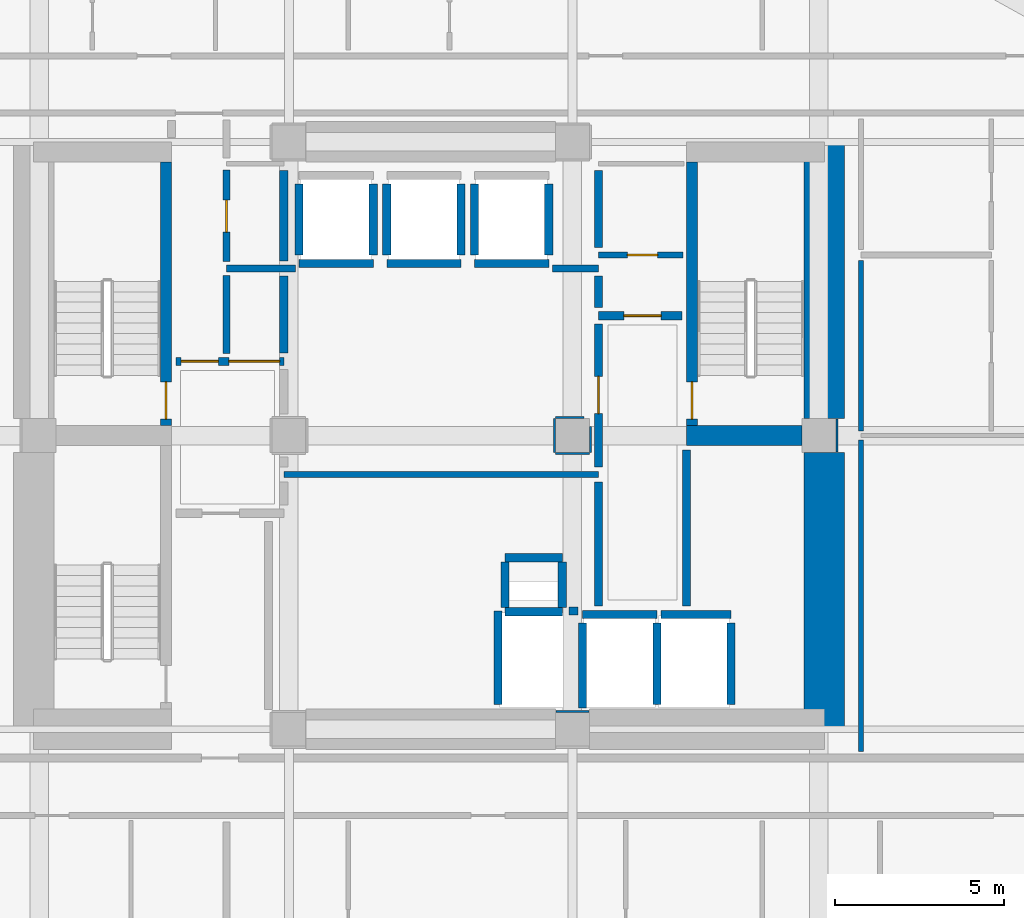
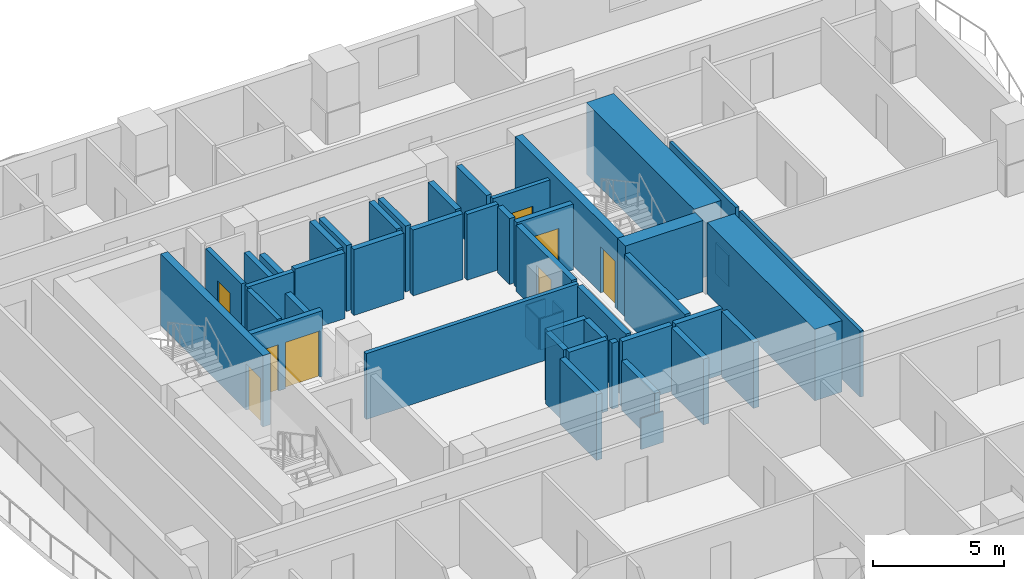
# One storey, part 4 of 10: 48 walls, 8 doors, 8 openings.
"""IFC4 building model written with IfcOpenShell, lengths in metres."""

from ifc_helpers import new_model, si_unit, direction, frame, frame_2d, origin, place, context, subcontext, project, spatial, rectangle, extrude, material, layer, layer_set, type_object, element, fill, save


model = new_model("IFC4")

# Units and contexts
model_context = context("Model", 3, precision=1e-05, world=origin(), true_north=direction((0.0, 1.0)))
body_context = subcontext(model_context, "Body", "Model", "MODEL_VIEW")
ifc_project = project(units=[si_unit("LENGTHUNIT", "METRE"), si_unit("AREAUNIT", "SQUARE_METRE"), si_unit("VOLUMEUNIT", "CUBIC_METRE"), si_unit("PLANEANGLEUNIT", "RADIAN"), si_unit("MASSUNIT", "GRAM", prefix="KILO")], contexts=[model_context])

# Site, building, storey
site_placement = place(None, origin())
site = spatial("IfcSite", under=ifc_project, at=site_placement, CompositionType="ELEMENT")
building_placement = place(site_placement, origin())
building = spatial("IfcBuilding", under=site, at=building_placement, Name="Solanera Arch Residences", CompositionType="ELEMENT")
storey_placement = place(building_placement, frame((0.0, 0.0, 48.56005859375)))
storey = spatial("IfcBuildingStorey", under=building, at=storey_placement, Name="L13", CompositionType="ELEMENT", Elevation=48.56005859375)

# Walls
ifc_material_1 = material(Name="Fire-Rated Gypsum Stud Partition", Category="gypsum")
ifc_layer_1 = layer(ifc_material_1, 0.06005859375)
ifc_layer_set_1 = layer_set([ifc_layer_1], Name="Fire-Rated Gypsum Stud Partition")
wall_type_1 = type_object("IfcWallType", Name="Column Acoustic Furring Wall 60", PredefinedType="PARTITIONING", material=ifc_layer_set_1)
for number, where, z_axis, x_axis, name in (
    (1, (28.7099609375, 22.531982421875, 0.0), (0.0, 0.0, 1.0), (1.0, 0.0, 0.0), "L13 Column Furring 2N"),
    (2, (37.031982421875, 30.2099609375, 0.0), (0.0, 0.0, 1.0), (0.0, 1.0, 0.0), "L13 Column Furring 6E"),
):
    element("IfcWall", number, at=place(storey_placement, frame(where, z_axis=z_axis, x_axis=x_axis)), inside=storey, type_object=wall_type_1, Name=name, PredefinedType="PARTITIONING", context=body_context, shape_type="SweptSolid", body=[
        extrude(rectangle(XDim=0.97998046875, YDim=0.06005859375, at=frame_2d((0.489990234375, 0.0))), origin(), (0.0, 0.0, 1.0), 1.449951171875),
    ])
wall_1_placement = place(storey_placement, frame((28.699951171875, 30.16796875, 0.0), z_axis=(0.0, 0.0, 1.0), x_axis=(1.0, 0.0, 0.0)))
element("IfcWall", 3, at=wall_1_placement, inside=storey, type_object=wall_type_1, Name="L13 Column Furring 8S", PredefinedType="PARTITIONING", context=body_context, shape_type="SweptSolid", body=[
    extrude(rectangle(XDim=1.0, YDim=0.06005859375, at=frame_2d((0.5, 0.0))), origin(), (0.0, 0.0, 1.0), 1.449951171875),
])
wall_2_placement = place(storey_placement, frame((28.699951171875, 31.23193359375, 0.0), z_axis=(0.0, 0.0, 1.0), x_axis=(1.0, 0.0, 0.0)))
element("IfcWall", 4, at=wall_2_placement, inside=storey, type_object=wall_type_1, Name="L13 Column Furring 8N", PredefinedType="PARTITIONING", context=body_context, shape_type="SweptSolid", body=[
    extrude(rectangle(XDim=0.841064453125, YDim=0.06005859375, at=frame_2d((0.42041015625, 0.0))), origin(), (0.0, 0.0, 1.0), 1.449951171875),
])
wall_3_placement = place(storey_placement, frame((28.66796875, 30.199951171875, 0.0), z_axis=(0.0, 0.0, 1.0), x_axis=(0.0, 1.0, 0.0)))
element("IfcWall", 5, at=wall_3_placement, inside=storey, type_object=wall_type_1, Name="L13 Column Furring 8W", PredefinedType="PARTITIONING", context=body_context, shape_type="SweptSolid", body=[
    extrude(rectangle(XDim=1.0, YDim=0.06005859375, at=frame_2d((0.5, 0.0))), origin(), (0.0, 0.0, 1.0), 1.449951171875),
])
wall_4_placement = place(storey_placement, frame((29.73193359375, 30.199951171875, 0.0), z_axis=(0.0, 0.0, 1.0), x_axis=(0.0, 1.0, 0.0)))
element("IfcWall", 6, at=wall_4_placement, inside=storey, type_object=wall_type_1, Name="L13 Column Furring 8E", PredefinedType="PARTITIONING", context=body_context, shape_type="SweptSolid", body=[
    extrude(rectangle(XDim=0.77197265625, YDim=0.06005859375, at=frame_2d((0.385986328125, 0.0))), origin(), (0.0, 0.0, 1.0), 1.449951171875),
])
ifc_material_2 = material(Name="Concrete C55/67 (f'c = 60 MPa)", Category="concrete")
ifc_layer_2 = layer(ifc_material_2, 1.199951171875)
ifc_layer_set_2 = layer_set([ifc_layer_2], Name="Concrete C55/67 (f'c = 60 MPa)")
wall_type_2 = type_object("IfcWallType", Name="Core Shear Wall CW-1200", PredefinedType="SHEAR", material=ifc_layer_set_2)
wall_5_placement = place(storey_placement, frame((36.659912109375, 22.0, 0.0), z_axis=(0.0, 0.0, 1.0), x_axis=(0.0, 1.0, 0.0)))
element("IfcWall", 7, at=wall_5_placement, inside=storey, type_object=wall_type_2, Name="L13 East Core South Shear Wall", PredefinedType="SHEAR", context=body_context, shape_type="SweptSolid", body=[
    extrude(rectangle(XDim=8.195068359375, YDim=1.199951171875, at=frame_2d((4.09765625, 0.0))), origin(), (0.0, 0.0, 1.0), 3.31982421875),
])
wall_6_placement = place(storey_placement, frame((36.659912109375, 31.205078125, 0.0), z_axis=(0.0, 0.0, 1.0), x_axis=(0.0, 1.0, 0.0)))
element("IfcWall", 8, at=wall_6_placement, inside=storey, type_object=wall_type_2, Name="L13 East Core North Shear Wall", PredefinedType="SHEAR", context=body_context, shape_type="SweptSolid", body=[
    extrude(rectangle(XDim=8.19482421875, YDim=1.199951171875, at=frame_2d((4.097412109375, 0.0))), origin(), (0.0, 0.0, 1.0), 3.31982421875),
])

# Wall, opening, door
ifc_material_3 = material(Name="Concrete C40/50 (f'c = 45 MPa)", Category="concrete")
ifc_layer_3 = layer(ifc_material_3, 0.320068359375)
ifc_layer_set_3 = layer_set([ifc_layer_3], Name="Concrete C40/50 (f'c = 45 MPa)")
wall_type_3 = type_object("IfcWallType", Name="Core Shear Wall CW-320", PredefinedType="SHEAR", material=ifc_layer_set_3)
wall_7_placement = place(storey_placement, frame((17.159912109375, 31.0, 0.0), z_axis=(0.0, 0.0, 1.0), x_axis=(0.0, 1.0, 0.0)))
wall_7 = element("IfcWall", 9, at=wall_7_placement, inside=storey, type_object=wall_type_3, Name="L13 Stair ST-T1 East Shear Wall", PredefinedType="SHEAR", context=body_context, shape_type="SweptSolid", body=[
    extrude(rectangle(XDim=7.800048828125, YDim=0.320068359375, at=frame_2d((3.89990234375, 0.0))), origin(), (0.0, 0.0, 1.0), 3.31982421875),
])
opening_1_placement = place(wall_7_placement, frame((0.18994140625, 0.0, 0.0)))
opening_1 = element("IfcOpeningElement", 10, at=opening_1_placement, cuts=wall_7, Name="Opening DF-01", PredefinedType="OPENING", context=body_context, shape_type="SweptSolid", body=[
    extrude(rectangle(XDim=1.10009765625, YDim=2.14990234375, at=frame_2d((0.550048828125, 1.074951171875))), frame((0.0, 0.169921875, 0.0), z_axis=(0.0, -1.0, 0.0), x_axis=(1.0, 0.0, 0.0)), (0.0, 0.0, 1.0), 0.3401),
])
ifc_material_4 = material(Name="Fire-Rated Architectural Hardwood", Category="wood")
door_type_1 = type_object("IfcDoorType", Name="Stair Exit Fire Door DF-01", OperationType="NOTDEFINED", PredefinedType="DOOR", material=ifc_material_4)
door_1_placement = place(opening_1_placement, origin())
door_1 = element("IfcDoor", 11, at=door_1_placement, inside=storey, type_object=door_type_1, Name="DR-L13-STAIR-ST-T1", OperationType="SINGLE_SWING_LEFT", OverallHeight=2.14990234375, OverallWidth=1.10009765625, PredefinedType="DOOR", context=body_context, shape_type="SweptSolid", body=[
    extrude(rectangle(XDim=1.10009765625, YDim=2.14990234375, at=frame_2d((0.550048828125, 1.074951171875))), frame((0.0, 0.02490234375, 0.0), z_axis=(0.0, -1.0, 0.0), x_axis=(1.0, 0.0, 0.0)), (0.0, 0.0, 1.0), 0.050048828125),
])
fill(opening_1, door_1)

wall_8_placement = place(storey_placement, frame((32.739990234375, 31.0, 0.0), z_axis=(0.0, 0.0, 1.0), x_axis=(0.0, 1.0, 0.0)))
wall_8 = element("IfcWall", 12, at=wall_8_placement, inside=storey, type_object=wall_type_3, Name="L13 Stair ST-T2 West Shear Wall", PredefinedType="SHEAR", context=body_context, shape_type="SweptSolid", body=[
    extrude(rectangle(XDim=7.800048828125, YDim=0.320068359375, at=frame_2d((3.89990234375, 0.0))), origin(), (0.0, 0.0, 1.0), 3.31982421875),
])
opening_2_placement = place(wall_8_placement, frame((0.18994140625, 0.0, 0.0)))
opening_2 = element("IfcOpeningElement", 13, at=opening_2_placement, cuts=wall_8, Name="Opening DF-01", PredefinedType="OPENING", context=body_context, shape_type="SweptSolid", body=[
    extrude(rectangle(XDim=1.10009765625, YDim=2.14990234375, at=frame_2d((0.550048828125, 1.074951171875))), frame((0.0, 0.169921875, 0.0), z_axis=(0.0, -1.0, 0.0), x_axis=(1.0, 0.0, 0.0)), (0.0, 0.0, 1.0), 0.3401),
])
door_2_placement = place(opening_2_placement, origin())
door_2 = element("IfcDoor", 14, at=door_2_placement, inside=storey, type_object=door_type_1, Name="DR-L13-STAIR-ST-T2", OperationType="SINGLE_SWING_RIGHT", OverallHeight=2.14990234375, OverallWidth=1.10009765625, PredefinedType="DOOR", context=body_context, shape_type="SweptSolid", body=[
    extrude(rectangle(XDim=1.10009765625, YDim=2.14990234375, at=frame_2d((0.550048828125, 1.074951171875))), frame((0.0, 0.02490234375, 0.0), z_axis=(0.0, -1.0, 0.0), x_axis=(1.0, 0.0, 0.0)), (0.0, 0.0, 1.0), 0.050048828125),
])
fill(opening_2, door_2)

# Walls
ifc_material_5 = material(Name="Concrete C40/50 (f'c = 45 MPa)", Category="concrete")
ifc_layer_4 = layer(ifc_material_5, 0.60009765625)
ifc_layer_set_4 = layer_set([ifc_layer_4], Name="Concrete C40/50 (f'c = 45 MPa)")
wall_type_4 = type_object("IfcWallType", Name="Core Shear Wall CW-600", PredefinedType="SHEAR", material=ifc_layer_set_4)
wall_9_placement = place(storey_placement, frame((32.580078125, 30.699951171875, 0.0), z_axis=(0.0, 0.0, 1.0), x_axis=(1.0, 0.0, 0.0)))
element("IfcWall", 15, at=wall_9_placement, inside=storey, type_object=wall_type_4, Name="L13 East Stair Far-Landing Shear Wall", PredefinedType="SHEAR", context=body_context, shape_type="SweptSolid", body=[
    extrude(rectangle(XDim=3.4150390625, YDim=0.60009765625, at=frame_2d((1.70751953125, 0.0))), origin(), (0.0, 0.0, 1.0), 3.31982421875),
])
ifc_material_6 = material(Name="Autoclaved Aerated Concrete Blockwork", Category="masonry")
ifc_layer_5 = layer(ifc_material_6, 0.179931640625)
ifc_layer_set_5 = layer_set([ifc_layer_5], Name="Autoclaved Aerated Concrete Blockwork")
wall_type_5 = type_object("IfcWallType", Name="Corridor Fire Partition 180", PredefinedType="PARTITIONING", material=ifc_layer_set_5)
wall_10_placement = place(storey_placement, frame((20.64990234375, 29.550048828125, 0.0), z_axis=(0.0, 0.0, 1.0), x_axis=(1.0, 0.0, 0.0)))
element("IfcWall", 16, at=wall_10_placement, inside=storey, type_object=wall_type_5, Name="L13 Interior Partition H8", PredefinedType="PARTITIONING", context=body_context, shape_type="SweptSolid", body=[
    extrude(rectangle(XDim=9.3251953125, YDim=0.179931640625, at=frame_2d((4.66259765625, 0.0))), origin(), (0.0, 0.0, 1.0), 3.06005859375),
])

# Wall, opening, door
wall_11_placement = place(storey_placement, frame((29.97509765625, 36.050048828125, 0.0), z_axis=(0.0, 0.0, 1.0), x_axis=(1.0, 0.0, 0.0)))
wall_11 = element("IfcWall", 17, at=wall_11_placement, inside=storey, type_object=wall_type_5, Name="L13 Interior Partition H9", PredefinedType="PARTITIONING", context=body_context, shape_type="SweptSolid", body=[
    extrude(rectangle(XDim=2.5048828125, YDim=0.179931640625, at=frame_2d((1.25244140625, 0.0))), origin(), (0.0, 0.0, 1.0), 3.06005859375),
])
opening_3_placement = place(wall_11_placement, frame((0.85205078125, 0.0, 0.0)))
opening_3 = element("IfcOpeningElement", 18, at=opening_3_placement, cuts=wall_11, Name="Opening DI-02", PredefinedType="OPENING", context=body_context, shape_type="SweptSolid", body=[
    extrude(rectangle(XDim=0.89990234375, YDim=2.10009765625, at=frame_2d((0.449951171875, 1.050048828125))), frame((0.0, 0.10009765625, 0.0), z_axis=(0.0, -1.0, 0.0), x_axis=(1.0, 0.0, 0.0)), (0.0, 0.0, 1.0), 0.1999),
])
ifc_material_7 = material(Name="Fire-Rated Architectural Hardwood", Category="wood")
door_type_2 = type_object("IfcDoorType", Name="Suite Room Swing Door DI-02", OperationType="NOTDEFINED", PredefinedType="DOOR", material=ifc_material_7)
door_3_placement = place(opening_3_placement, origin())
door_3 = element("IfcDoor", 19, at=door_3_placement, inside=storey, type_object=door_type_2, Name="DR-L13-IN-013", OperationType="SINGLE_SWING_LEFT", OverallHeight=2.10009765625, OverallWidth=0.89990234375, PredefinedType="DOOR", context=body_context, shape_type="SweptSolid", body=[
    extrude(rectangle(XDim=0.89990234375, YDim=2.10009765625, at=frame_2d((0.449951171875, 1.050048828125))), frame((0.0, 0.02490234375, 0.0), z_axis=(0.0, -1.0, 0.0), x_axis=(1.0, 0.0, 0.0)), (0.0, 0.0, 1.0), 0.050048828125),
])
fill(opening_3, door_3)

# Walls
ifc_material_8 = material(Name="Autoclaved Aerated Concrete Blockwork", Category="masonry")
ifc_layer_6 = layer(ifc_material_8, 0.199951171875)
ifc_layer_set_6 = layer_set([ifc_layer_6], Name="Autoclaved Aerated Concrete Blockwork")
wall_type_6 = type_object("IfcWallType", Name="Party Wall Acoustic 200", PredefinedType="PARTITIONING", material=ifc_layer_set_6)
wall_12_placement = place(storey_placement, frame((18.949951171875, 35.64990234375, 0.0), z_axis=(0.0, 0.0, 1.0), x_axis=(1.0, 0.0, 0.0)))
element("IfcWall", 20, at=wall_12_placement, inside=storey, type_object=wall_type_6, Name="L13 Interior Partition H6 1", PredefinedType="PARTITIONING", context=body_context, shape_type="SweptSolid", body=[
    extrude(rectangle(XDim=2.046142578125, YDim=0.199951171875, at=frame_2d((1.02294921875, 0.0))), origin(), (0.0, 0.0, 1.0), 3.06005859375),
])
wall_13_placement = place(storey_placement, frame((28.60400390625, 35.64990234375, 0.0), z_axis=(0.0, 0.0, 1.0), x_axis=(1.0, 0.0, 0.0)))
element("IfcWall", 21, at=wall_13_placement, inside=storey, type_object=wall_type_6, Name="L13 Interior Partition H6 2", PredefinedType="PARTITIONING", context=body_context, shape_type="SweptSolid", body=[
    extrude(rectangle(XDim=1.37109375, YDim=0.199951171875, at=frame_2d((0.685546875, 0.0))), origin(), (0.0, 0.0, 1.0), 3.06005859375),
])
wall_14_placement = place(storey_placement, frame((18.949951171875, 33.1279296875, 0.0), z_axis=(0.0, 0.0, 1.0), x_axis=(0.0, 1.0, 0.0)))
element("IfcWall", 22, at=wall_14_placement, inside=storey, type_object=wall_type_6, Name="L13 Interior Partition V7 1", PredefinedType="PARTITIONING", context=body_context, shape_type="SweptSolid", body=[
    extrude(rectangle(XDim=2.31396484375, YDim=0.199951171875, at=frame_2d((1.156982421875, 0.0))), origin(), (0.0, 0.0, 1.0), 3.06005859375),
])

# Wall, opening, door
wall_15_placement = place(storey_placement, frame((18.949951171875, 35.85791015625, 0.0), z_axis=(0.0, 0.0, 1.0), x_axis=(0.0, 1.0, 0.0)))
wall_15 = element("IfcWall", 23, at=wall_15_placement, inside=storey, type_object=wall_type_6, Name="L13 Interior Partition V7 2", PredefinedType="PARTITIONING", context=body_context, shape_type="SweptSolid", body=[
    extrude(rectangle(XDim=2.714111328125, YDim=0.199951171875, at=frame_2d((1.35693359375, 0.0))), origin(), (0.0, 0.0, 1.0), 3.06005859375),
])
opening_4_placement = place(wall_15_placement, frame((0.866943359375, 0.0, 0.0)))
opening_4 = element("IfcOpeningElement", 24, at=opening_4_placement, cuts=wall_15, Name="Opening DI-04", PredefinedType="OPENING", context=body_context, shape_type="SweptSolid", body=[
    extrude(rectangle(XDim=0.949951171875, YDim=2.10009765625, at=frame_2d((0.47509765625, 1.050048828125))), frame((0.0, 0.110107421875, 0.0), z_axis=(0.0, -1.0, 0.0), x_axis=(1.0, 0.0, 0.0)), (0.0, 0.0, 1.0), 0.22),
])
ifc_material_9 = material(Name="Fire-Rated Architectural Hardwood", Category="wood")
door_type_3 = type_object("IfcDoorType", Name="Accessible Restroom Door DI-04", OperationType="NOTDEFINED", PredefinedType="DOOR", material=ifc_material_9)
door_4_placement = place(opening_4_placement, origin())
door_4 = element("IfcDoor", 25, at=door_4_placement, inside=storey, type_object=door_type_3, Name="DR-L13-IN-014", OperationType="SINGLE_SWING_RIGHT", OverallHeight=2.10009765625, OverallWidth=0.949951171875, PredefinedType="DOOR", context=body_context, shape_type="SweptSolid", body=[
    extrude(rectangle(XDim=0.949951171875, YDim=2.10009765625, at=frame_2d((0.47509765625, 1.050048828125))), frame((0.0, 0.02490234375, 0.0), z_axis=(0.0, -1.0, 0.0), x_axis=(1.0, 0.0, 0.0)), (0.0, 0.0, 1.0), 0.050048828125),
])
fill(opening_4, door_4)

# Walls
ifc_material_10 = material(Name="Concrete C40/50 (f'c = 45 MPa)", Category="concrete")
ifc_layer_7 = layer(ifc_material_10, 0.239990234375)
ifc_layer_set_7 = layer_set([ifc_layer_7], Name="Concrete C40/50 (f'c = 45 MPa)")
wall_type_7 = type_object("IfcWallType", Name="Ramp Bearing Shear Wall RW-240", PredefinedType="SHEAR", material=ifc_layer_set_7)
for number, where, z_axis, x_axis, name in (
    (26, (27.199951171875, 25.47998046875, 0.0), (0.0, 0.0, 1.0), (1.0, 0.0, 0.0), "L13 Core MEP Riser South Shaft Wall"),
    (27, (27.199951171875, 27.080078125, 0.0), (0.0, 0.0, 1.0), (1.0, 0.0, 0.0), "L13 Core MEP Riser North Shaft Wall"),
):
    element("IfcWall", number, at=place(storey_placement, frame(where, z_axis=z_axis, x_axis=x_axis)), inside=storey, type_object=wall_type_7, Name=name, PredefinedType="SHEAR", context=body_context, shape_type="SweptSolid", body=[
        extrude(rectangle(XDim=1.699951171875, YDim=0.239990234375, at=frame_2d((0.85009765625, 0.0))), origin(), (0.0, 0.0, 1.0), 3.31982421875),
    ])
for number, where, z_axis, x_axis, name in (
    (28, (27.199951171875, 25.60009765625, 0.0), (0.0, 0.0, 1.0), (0.0, 1.0, 0.0), "L13 Core MEP Riser West Shaft Wall"),
    (29, (28.89990234375, 25.60009765625, 0.0), (0.0, 0.0, 1.0), (0.0, 1.0, 0.0), "L13 Core MEP Riser East Shaft Wall"),
):
    element("IfcWall", number, at=place(storey_placement, frame(where, z_axis=z_axis, x_axis=x_axis)), inside=storey, type_object=wall_type_7, Name=name, PredefinedType="SHEAR", context=body_context, shape_type="SweptSolid", body=[
        extrude(rectangle(XDim=1.35986328125, YDim=0.239990234375, at=frame_2d((0.679931640625, 0.0))), origin(), (0.0, 0.0, 1.0), 3.31982421875),
    ])
ifc_material_11 = material(Name="Autoclaved Aerated Concrete Blockwork", Category="masonry")
ifc_layer_8 = layer(ifc_material_11, 0.239990234375)
ifc_layer_set_8 = layer_set([ifc_layer_8], Name="Autoclaved Aerated Concrete Blockwork")
wall_type_8 = type_object("IfcWallType", Name="Shaft Wall Fire-Rated 240", PredefinedType="PARTITIONING", material=ifc_layer_set_8)
wall_16_placement = place(storey_placement, frame((21.10009765625, 35.800048828125, 0.0), z_axis=(0.0, 0.0, 1.0), x_axis=(1.0, 0.0, 0.0)))
element("IfcWall", 30, at=wall_16_placement, inside=storey, type_object=wall_type_8, Name="L13 Lift PL-L1 Hoistway Wall S", PredefinedType="PARTITIONING", context=body_context, shape_type="SweptSolid", body=[
    extrude(rectangle(XDim=2.199951171875, YDim=0.239990234375, at=frame_2d((1.10009765625, 0.0))), origin(), (0.0, 0.0, 1.0), 3.06005859375),
])
wall_17_placement = place(storey_placement, frame((21.10009765625, 36.048095703125, 0.0), z_axis=(0.0, 0.0, 1.0), x_axis=(0.0, 1.0, 0.0)))
element("IfcWall", 31, at=wall_17_placement, inside=storey, type_object=wall_type_8, Name="L13 Lift PL-L1 Hoistway Wall W", PredefinedType="PARTITIONING", context=body_context, shape_type="SweptSolid", body=[
    extrude(rectangle(XDim=2.10400390625, YDim=0.239990234375, at=frame_2d((1.052001953125, 0.0))), origin(), (0.0, 0.0, 1.0), 2.294921875),
])
wall_18_placement = place(storey_placement, frame((23.300048828125, 36.048095703125, 0.0), z_axis=(0.0, 0.0, 1.0), x_axis=(0.0, 1.0, 0.0)))
element("IfcWall", 32, at=wall_18_placement, inside=storey, type_object=wall_type_8, Name="L13 Lift PL-L1 Hoistway Wall E", PredefinedType="PARTITIONING", context=body_context, shape_type="SweptSolid", body=[
    extrude(rectangle(XDim=2.10400390625, YDim=0.239990234375, at=frame_2d((1.052001953125, 0.0))), origin(), (0.0, 0.0, 1.0), 3.06005859375),
])
wall_19_placement = place(storey_placement, frame((23.699951171875, 35.800048828125, 0.0), z_axis=(0.0, 0.0, 1.0), x_axis=(1.0, 0.0, 0.0)))
element("IfcWall", 33, at=wall_19_placement, inside=storey, type_object=wall_type_8, Name="L13 Lift PL-L2 Hoistway Wall S", PredefinedType="PARTITIONING", context=body_context, shape_type="SweptSolid", body=[
    extrude(rectangle(XDim=2.199951171875, YDim=0.239990234375, at=frame_2d((1.10009765625, 0.0))), origin(), (0.0, 0.0, 1.0), 3.06005859375),
])
for number, where, z_axis, x_axis, name in (
    (34, (23.699951171875, 36.048095703125, 0.0), (0.0, 0.0, 1.0), (0.0, 1.0, 0.0), "L13 Lift PL-L2 Hoistway Wall W"),
    (35, (25.89990234375, 36.048095703125, 0.0), (0.0, 0.0, 1.0), (0.0, 1.0, 0.0), "L13 Lift PL-L2 Hoistway Wall E"),
):
    element("IfcWall", number, at=place(storey_placement, frame(where, z_axis=z_axis, x_axis=x_axis)), inside=storey, type_object=wall_type_8, Name=name, PredefinedType="PARTITIONING", context=body_context, shape_type="SweptSolid", body=[
        extrude(rectangle(XDim=2.10400390625, YDim=0.239990234375, at=frame_2d((1.052001953125, 0.0))), origin(), (0.0, 0.0, 1.0), 3.06005859375),
    ])
wall_20_placement = place(storey_placement, frame((26.300048828125, 35.800048828125, 0.0), z_axis=(0.0, 0.0, 1.0), x_axis=(1.0, 0.0, 0.0)))
element("IfcWall", 36, at=wall_20_placement, inside=storey, type_object=wall_type_8, Name="L13 Lift PL-L3 Hoistway Wall S", PredefinedType="PARTITIONING", context=body_context, shape_type="SweptSolid", body=[
    extrude(rectangle(XDim=2.199951171875, YDim=0.239990234375, at=frame_2d((1.10009765625, 0.0))), origin(), (0.0, 0.0, 1.0), 3.06005859375),
])
for number, where, z_axis, x_axis, name in (
    (37, (26.300048828125, 36.048095703125, 0.0), (0.0, 0.0, 1.0), (0.0, 1.0, 0.0), "L13 Lift PL-L3 Hoistway Wall W"),
    (38, (28.5, 36.048095703125, 0.0), (0.0, 0.0, 1.0), (0.0, 1.0, 0.0), "L13 Lift PL-L3 Hoistway Wall E"),
):
    element("IfcWall", number, at=place(storey_placement, frame(where, z_axis=z_axis, x_axis=x_axis)), inside=storey, type_object=wall_type_8, Name=name, PredefinedType="PARTITIONING", context=body_context, shape_type="SweptSolid", body=[
        extrude(rectangle(XDim=2.10400390625, YDim=0.239990234375, at=frame_2d((1.052001953125, 0.0))), origin(), (0.0, 0.0, 1.0), 3.06005859375),
    ])
wall_21_placement = place(storey_placement, frame((29.5, 25.39990234375, 0.0), z_axis=(0.0, 0.0, 1.0), x_axis=(1.0, 0.0, 0.0)))
element("IfcWall", 39, at=wall_21_placement, inside=storey, type_object=wall_type_8, Name="L13 Lift FFL-1 Hoistway Wall N", PredefinedType="PARTITIONING", context=body_context, shape_type="SweptSolid", body=[
    extrude(rectangle(XDim=2.199951171875, YDim=0.239990234375, at=frame_2d((1.10009765625, 0.0))), origin(), (0.0, 0.0, 1.0), 3.06005859375),
])
wall_22_placement = place(storey_placement, frame((29.5, 22.632080078125, 0.0), z_axis=(0.0, 0.0, 1.0), x_axis=(0.0, 1.0, 0.0)))
element("IfcWall", 40, at=wall_22_placement, inside=storey, type_object=wall_type_8, Name="L13 Lift FFL-1 Hoistway Wall W", PredefinedType="PARTITIONING", context=body_context, shape_type="SweptSolid", body=[
    extrude(rectangle(XDim=2.52001953125, YDim=0.239990234375, at=frame_2d((1.260009765625, 0.0))), origin(), (0.0, 0.0, 1.0), 2.294921875),
])
wall_23_placement = place(storey_placement, frame((31.699951171875, 22.72998046875, 0.0), z_axis=(0.0, 0.0, 1.0), x_axis=(0.0, 1.0, 0.0)))
element("IfcWall", 41, at=wall_23_placement, inside=storey, type_object=wall_type_8, Name="L13 Lift FFL-1 Hoistway Wall E", PredefinedType="PARTITIONING", context=body_context, shape_type="SweptSolid", body=[
    extrude(rectangle(XDim=2.422119140625, YDim=0.239990234375, at=frame_2d((1.2109375, 0.0))), origin(), (0.0, 0.0, 1.0), 3.06005859375),
])
wall_24_placement = place(storey_placement, frame((31.827880859375, 25.39990234375, 0.0), z_axis=(0.0, 0.0, 1.0), x_axis=(1.0, 0.0, 0.0)))
element("IfcWall", 42, at=wall_24_placement, inside=storey, type_object=wall_type_8, Name="L13 Lift FFL-2 Hoistway Wall N", PredefinedType="PARTITIONING", context=body_context, shape_type="SweptSolid", body=[
    extrude(rectangle(XDim=2.072021484375, YDim=0.239990234375, at=frame_2d((1.0361328125, 0.0))), origin(), (0.0, 0.0, 1.0), 3.06005859375),
])
wall_25_placement = place(storey_placement, frame((33.89990234375, 22.72998046875, 0.0), z_axis=(0.0, 0.0, 1.0), x_axis=(0.0, 1.0, 0.0)))
element("IfcWall", 43, at=wall_25_placement, inside=storey, type_object=wall_type_8, Name="L13 Lift FFL-2 Hoistway Wall E", PredefinedType="PARTITIONING", context=body_context, shape_type="SweptSolid", body=[
    extrude(rectangle(XDim=2.422119140625, YDim=0.239990234375, at=frame_2d((1.2109375, 0.0))), origin(), (0.0, 0.0, 1.0), 3.06005859375),
])
wall_26_placement = place(storey_placement, frame((29.10302734375, 25.5, 0.0), z_axis=(0.0, 0.0, 1.0), x_axis=(1.0, 0.0, 0.0)))
element("IfcWall", 44, at=wall_26_placement, inside=storey, type_object=wall_type_8, Name="L13 Lift SVL-1 Hoistway Wall N", PredefinedType="PARTITIONING", context=body_context, shape_type="SweptSolid", body=[
    extrude(rectangle(XDim=0.26904296875, YDim=0.239990234375, at=frame_2d((0.134521484375, 0.0))), origin(), (0.0, 0.0, 1.0), 3.06005859375),
])
wall_27_placement = place(storey_placement, frame((27.0, 22.72998046875, 0.0), z_axis=(0.0, 0.0, 1.0), x_axis=(0.0, 1.0, 0.0)))
element("IfcWall", 45, at=wall_27_placement, inside=storey, type_object=wall_type_8, Name="L13 Lift SVL-1 Hoistway Wall W", PredefinedType="PARTITIONING", context=body_context, shape_type="SweptSolid", body=[
    extrude(rectangle(XDim=2.76806640625, YDim=0.239990234375, at=frame_2d((1.384033203125, 0.0))), origin(), (0.0, 0.0, 1.0), 3.06005859375),
])

# Wall, openings, doors
wall_28_placement = place(storey_placement, frame((17.449951171875, 32.89990234375, 0.0), z_axis=(0.0, 0.0, 1.0), x_axis=(1.0, 0.0, 0.0)))
wall_28 = element("IfcWall", 46, at=wall_28_placement, inside=storey, type_object=wall_type_8, Name="L13 Interior Partition H4", PredefinedType="PARTITIONING", context=body_context, shape_type="SweptSolid", body=[
    extrude(rectangle(XDim=3.199951171875, YDim=0.239990234375, at=frame_2d((1.60009765625, 0.0))), origin(), (0.0, 0.0, 1.0), 3.06005859375),
])
opening_5_placement = place(wall_28_placement, frame((0.158935546875, 0.0, 0.0)))
opening_5 = element("IfcOpeningElement", 47, at=opening_5_placement, cuts=wall_28, Name="Opening DF-02", PredefinedType="OPENING", context=body_context, shape_type="SweptSolid", body=[
    extrude(rectangle(XDim=1.10009765625, YDim=2.14990234375, at=frame_2d((0.550048828125, 1.074951171875))), frame((0.0, 0.1298828125, 0.0), z_axis=(0.0, -1.0, 0.0), x_axis=(1.0, 0.0, 0.0)), (0.0, 0.0, 1.0), 0.26),
])
opening_6_placement = place(wall_28_placement, frame((1.575927734375, 0.0, 0.0)))
opening_6 = element("IfcOpeningElement", 48, at=opening_6_placement, cuts=wall_28, Name="Opening DP-01", PredefinedType="OPENING", context=body_context, shape_type="SweptSolid", body=[
    extrude(rectangle(XDim=1.5, YDim=2.14990234375, at=frame_2d((0.75, 1.074951171875))), frame((0.0, 0.1298828125, 0.0), z_axis=(0.0, -1.0, 0.0), x_axis=(1.0, 0.0, 0.0)), (0.0, 0.0, 1.0), 0.26),
])
ifc_material_12 = material(Name="Fire-Rated Architectural Hardwood", Category="wood")
door_type_4 = type_object("IfcDoorType", Name="Firefighting Lobby Fire Door DF-02", OperationType="NOTDEFINED", PredefinedType="DOOR", material=ifc_material_12)
door_5_placement = place(opening_5_placement, origin())
door_5 = element("IfcDoor", 49, at=door_5_placement, inside=storey, type_object=door_type_4, Name="DR-L13-IN-005", OperationType="SINGLE_SWING_LEFT", OverallHeight=2.14990234375, OverallWidth=1.10009765625, PredefinedType="DOOR", context=body_context, shape_type="SweptSolid", body=[
    extrude(rectangle(XDim=1.10009765625, YDim=2.14990234375, at=frame_2d((0.550048828125, 1.074951171875))), frame((0.0, 0.02490234375, 0.0), z_axis=(0.0, -1.0, 0.0), x_axis=(1.0, 0.0, 0.0)), (0.0, 0.0, 1.0), 0.050048828125),
])
fill(opening_5, door_5)
ifc_material_13 = material(Name="Fire-Rated Architectural Hardwood", Category="wood")
door_type_5 = type_object("IfcDoorType", Name="Plant Double Fire Door DP-01", OperationType="NOTDEFINED", PredefinedType="DOOR", material=ifc_material_13)
door_6_placement = place(opening_6_placement, origin())
door_6 = element("IfcDoor", 50, at=door_6_placement, inside=storey, type_object=door_type_5, Name="DR-L13-IN-012", OperationType="SINGLE_SWING_RIGHT", OverallHeight=2.14990234375, OverallWidth=1.5, PredefinedType="DOOR", context=body_context, shape_type="SweptSolid", body=[
    extrude(rectangle(XDim=1.5, YDim=2.14990234375, at=frame_2d((0.75, 1.074951171875))), frame((0.0, 0.02490234375, 0.0), z_axis=(0.0, -1.0, 0.0), x_axis=(1.0, 0.0, 0.0)), (0.0, 0.0, 1.0), 0.050048828125),
])
fill(opening_6, door_6)

# Wall, opening, door
wall_29_placement = place(storey_placement, frame((29.97509765625, 34.25, 0.0), z_axis=(0.0, 0.0, 1.0), x_axis=(1.0, 0.0, 0.0)))
wall_29 = element("IfcWall", 51, at=wall_29_placement, inside=storey, type_object=wall_type_8, Name="L13 Interior Partition H5", PredefinedType="PARTITIONING", context=body_context, shape_type="SweptSolid", body=[
    extrude(rectangle(XDim=2.474853515625, YDim=0.239990234375, at=frame_2d((1.2373046875, 0.0))), origin(), (0.0, 0.0, 1.0), 3.06005859375),
])
opening_7_placement = place(wall_29_placement, frame((0.751953125, 0.0, 0.0)))
opening_7 = element("IfcOpeningElement", 52, at=opening_7_placement, cuts=wall_29, Name="Opening DF-02", PredefinedType="OPENING", context=body_context, shape_type="SweptSolid", body=[
    extrude(rectangle(XDim=1.10009765625, YDim=2.14990234375, at=frame_2d((0.550048828125, 1.074951171875))), frame((0.0, 0.1298828125, 0.0), z_axis=(0.0, -1.0, 0.0), x_axis=(1.0, 0.0, 0.0)), (0.0, 0.0, 1.0), 0.26),
])
door_7_placement = place(opening_7_placement, origin())
door_7 = element("IfcDoor", 53, at=door_7_placement, inside=storey, type_object=door_type_4, Name="DR-L13-IN-007", OperationType="SINGLE_SWING_LEFT", OverallHeight=2.14990234375, OverallWidth=1.10009765625, PredefinedType="DOOR", context=body_context, shape_type="SweptSolid", body=[
    extrude(rectangle(XDim=1.10009765625, YDim=2.14990234375, at=frame_2d((0.550048828125, 1.074951171875))), frame((0.0, 0.02490234375, 0.0), z_axis=(0.0, -1.0, 0.0), x_axis=(1.0, 0.0, 0.0)), (0.0, 0.0, 1.0), 0.050048828125),
])
fill(opening_7, door_7)

# Walls
wall_30_placement = place(storey_placement, frame((20.64990234375, 33.14794921875, 0.0), z_axis=(0.0, 0.0, 1.0), x_axis=(0.0, 1.0, 0.0)))
element("IfcWall", 54, at=wall_30_placement, inside=storey, type_object=wall_type_8, Name="L13 Interior Partition V3 4", PredefinedType="PARTITIONING", context=body_context, shape_type="SweptSolid", body=[
    extrude(rectangle(XDim=2.274169921875, YDim=0.239990234375, at=frame_2d((1.13720703125, 0.0))), origin(), (0.0, 0.0, 1.0), 2.294921875),
])
wall_31_placement = place(storey_placement, frame((20.64990234375, 35.8779296875, 0.0), z_axis=(0.0, 0.0, 1.0), x_axis=(0.0, 1.0, 0.0)))
element("IfcWall", 55, at=wall_31_placement, inside=storey, type_object=wall_type_8, Name="L13 Interior Partition V3 5", PredefinedType="PARTITIONING", context=body_context, shape_type="SweptSolid", body=[
    extrude(rectangle(XDim=2.674072265625, YDim=0.239990234375, at=frame_2d((1.3369140625, 0.0))), origin(), (0.0, 0.0, 1.0), 2.294921875),
])
wall_32_placement = place(storey_placement, frame((29.97509765625, 25.64794921875, 0.0), z_axis=(0.0, 0.0, 1.0), x_axis=(0.0, 1.0, 0.0)))
element("IfcWall", 56, at=wall_32_placement, inside=storey, type_object=wall_type_8, Name="L13 Interior Partition V4 1", PredefinedType="PARTITIONING", context=body_context, shape_type="SweptSolid", body=[
    extrude(rectangle(XDim=3.68408203125, YDim=0.239990234375, at=frame_2d((1.842041015625, 0.0))), origin(), (0.0, 0.0, 1.0), 3.06005859375),
])

# Wall, opening, door
wall_33_placement = place(storey_placement, frame((29.97509765625, 29.76806640625, 0.0), z_axis=(0.0, 0.0, 1.0), x_axis=(0.0, 1.0, 0.0)))
wall_33 = element("IfcWall", 57, at=wall_33_placement, inside=storey, type_object=wall_type_8, Name="L13 Interior Partition V4 2", PredefinedType="PARTITIONING", context=body_context, shape_type="SweptSolid", body=[
    extrude(rectangle(XDim=4.23388671875, YDim=0.239990234375, at=frame_2d((2.116943359375, 0.0))), origin(), (0.0, 0.0, 1.0), 3.06005859375),
])
opening_8_placement = place(wall_33_placement, frame((1.58203125, 0.0, 0.0)))
opening_8 = element("IfcOpeningElement", 58, at=opening_8_placement, cuts=wall_33, Name="Opening DF-02", PredefinedType="OPENING", context=body_context, shape_type="SweptSolid", body=[
    extrude(rectangle(XDim=1.10009765625, YDim=2.14990234375, at=frame_2d((0.550048828125, 1.074951171875))), frame((0.0, 0.1298828125, 0.0), z_axis=(0.0, -1.0, 0.0), x_axis=(1.0, 0.0, 0.0)), (0.0, 0.0, 1.0), 0.26),
])
door_8_placement = place(opening_8_placement, origin())
door_8 = element("IfcDoor", 59, at=door_8_placement, inside=storey, type_object=door_type_4, Name="DR-L13-IN-006", OperationType="SINGLE_SWING_RIGHT", OverallHeight=2.14990234375, OverallWidth=1.10009765625, PredefinedType="DOOR", context=body_context, shape_type="SweptSolid", body=[
    extrude(rectangle(XDim=1.10009765625, YDim=2.14990234375, at=frame_2d((0.550048828125, 1.074951171875))), frame((0.0, 0.02490234375, 0.0), z_axis=(0.0, -1.0, 0.0), x_axis=(1.0, 0.0, 0.0)), (0.0, 0.0, 1.0), 0.050048828125),
])
fill(opening_8, door_8)

# Walls
wall_34_placement = place(storey_placement, frame((29.97509765625, 34.498046875, 0.0), z_axis=(0.0, 0.0, 1.0), x_axis=(0.0, 1.0, 0.0)))
element("IfcWall", 60, at=wall_34_placement, inside=storey, type_object=wall_type_8, Name="L13 Interior Partition V4 3", PredefinedType="PARTITIONING", context=body_context, shape_type="SweptSolid", body=[
    extrude(rectangle(XDim=0.924072265625, YDim=0.239990234375, at=frame_2d((0.4619140625, 0.0))), origin(), (0.0, 0.0, 1.0), 3.06005859375),
])
wall_35_placement = place(storey_placement, frame((29.97509765625, 36.26806640625, 0.0), z_axis=(0.0, 0.0, 1.0), x_axis=(0.0, 1.0, 0.0)))
element("IfcWall", 61, at=wall_35_placement, inside=storey, type_object=wall_type_8, Name="L13 Interior Partition V4 4", PredefinedType="PARTITIONING", context=body_context, shape_type="SweptSolid", body=[
    extrude(rectangle(XDim=2.283935546875, YDim=0.239990234375, at=frame_2d((1.14208984375, 0.0))), origin(), (0.0, 0.0, 1.0), 3.06005859375),
])
wall_36_placement = place(storey_placement, frame((32.580078125, 25.64794921875, 0.0), z_axis=(0.0, 0.0, 1.0), x_axis=(0.0, 1.0, 0.0)))
element("IfcWall", 62, at=wall_36_placement, inside=storey, type_object=wall_type_8, Name="L13 Interior Partition V5", PredefinedType="PARTITIONING", context=body_context, shape_type="SweptSolid", body=[
    extrude(rectangle(XDim=4.6220703125, YDim=0.239990234375, at=frame_2d((2.31103515625, 0.0))), origin(), (0.0, 0.0, 1.0), 3.06005859375),
])
ifc_material_14 = material(Name="Autoclaved Aerated Concrete Blockwork", Category="masonry")
ifc_layer_9 = layer(ifc_material_14, 0.139892578125)
ifc_layer_set_9 = layer_set([ifc_layer_9], Name="Autoclaved Aerated Concrete Blockwork")
wall_type_9 = type_object("IfcWallType", Name="Wet-Room Partition 140", PredefinedType="PARTITIONING", material=ifc_layer_set_9)
wall_37_placement = place(storey_placement, frame((37.75, 21.347900390625, 0.0), z_axis=(0.0, 0.0, 1.0), x_axis=(0.0, 1.0, 0.0)))
element("IfcWall", 63, at=wall_37_placement, inside=storey, type_object=wall_type_9, Name="L13 Interior Partition V20 1", PredefinedType="PARTITIONING", context=body_context, shape_type="SweptSolid", body=[
    extrude(rectangle(XDim=9.214111328125, YDim=0.139892578125, at=frame_2d((4.60693359375, 0.0))), origin(), (0.0, 0.0, 1.0), 3.06005859375),
])
wall_38_placement = place(storey_placement, frame((37.75, 30.837890625, 0.0), z_axis=(0.0, 0.0, 1.0), x_axis=(0.0, 1.0, 0.0)))
element("IfcWall", 64, at=wall_38_placement, inside=storey, type_object=wall_type_9, Name="L13 Interior Partition V20 2", PredefinedType="PARTITIONING", context=body_context, shape_type="SweptSolid", body=[
    extrude(rectangle(XDim=5.044189453125, YDim=0.139892578125, at=frame_2d((2.52197265625, 0.0))), origin(), (0.0, 0.0, 1.0), 3.06005859375),
])

save(model, "model.ifc")
